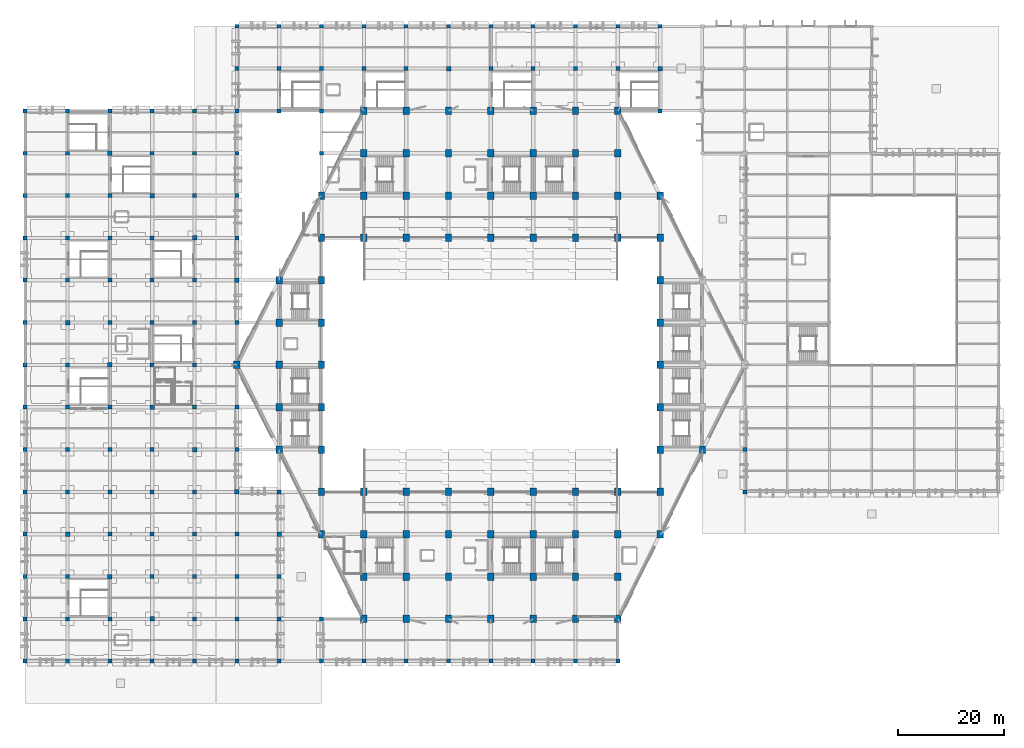
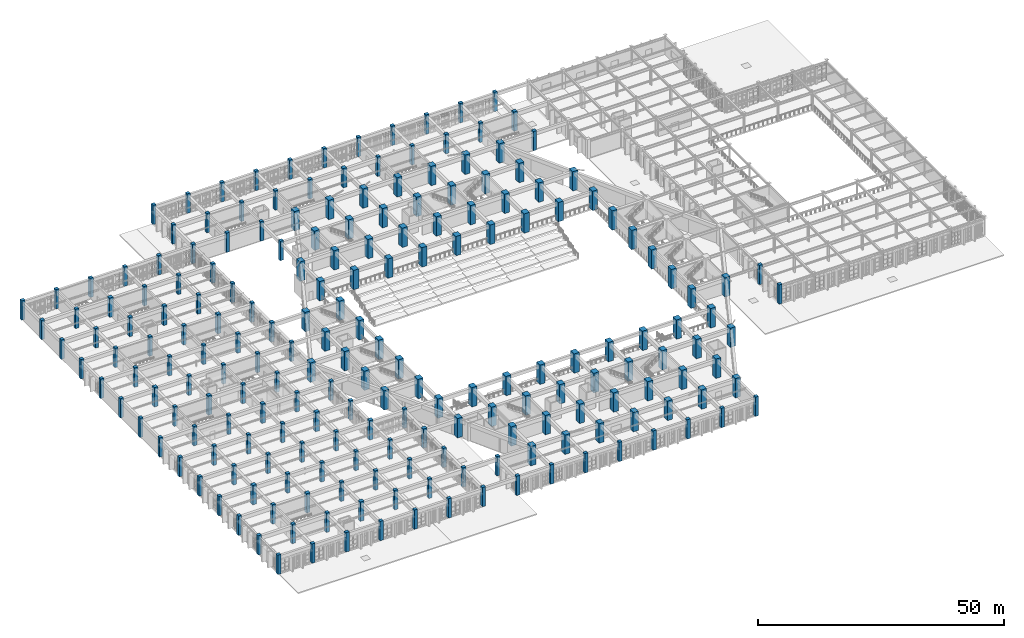
# One storey, part 1 of 155: 206 columns.
"""IFC4 building model written with IfcOpenShell, lengths in metres."""

from ifc_helpers import new_model, si_unit, direction, frame, origin, origin_2d, place, context, subcontext, project, spatial, rectangle, extrude, material, material_profile, profile_set, type_object, element, save


model = new_model("IFC4")

# Units and contexts
model_context = context("Model", 3, precision=1e-05, world=origin(), true_north=direction((0.0, 1.0)))
body_context = subcontext(model_context, "Body", "Model", "MODEL_VIEW")
ifc_project = project(units=[si_unit("LENGTHUNIT", "METRE"), si_unit("AREAUNIT", "SQUARE_METRE"), si_unit("VOLUMEUNIT", "CUBIC_METRE"), si_unit("PLANEANGLEUNIT", "RADIAN"), si_unit("MASSUNIT", "GRAM", prefix="KILO")], contexts=[model_context])

# Site, building, storey
site_placement = place(None, origin())
site = spatial("IfcSite", under=ifc_project, at=site_placement, CompositionType="ELEMENT")
building_placement = place(site_placement, origin())
building = spatial("IfcBuilding", under=site, at=building_placement, Name="Tazarka Park Arena", CompositionType="ELEMENT")
storey_placement = place(building_placement, frame((0.0, 0.0, 5.39990234375)))
storey = spatial("IfcBuildingStorey", under=building, at=storey_placement, Name="L01", CompositionType="ELEMENT", Elevation=5.39990234375)

# Columns
ifc_material_1 = material(Name="Concrete C40/50", Category="concrete")
ifc_material_profile_1 = material_profile(ifc_material_1, rectangle(XDim=0.75, YDim=0.75, at=origin_2d()), Name="Concrete C40/50")
ifc_profile_set_1 = profile_set([ifc_material_profile_1], Name="Concrete C40/50")
column_type_1 = type_object("IfcColumnType", Name="COL-C-02", PredefinedType="COLUMN", material=ifc_profile_set_1)
for number, where, z_axis, x_axis, name in (
    (1, (8.0, 16.0, 0.0), (0.0, 0.0, 1.0), (1.0, 0.0, 0.0), "CLM-L01-01-02"),
    (2, (8.0, 24.0, 0.0), (0.0, 0.0, 1.0), (1.0, 0.0, 0.0), "CLM-L01-01-03"),
    (3, (8.0, 40.0, 0.0), (0.0, 0.0, 1.0), (1.0, 0.0, 0.0), "CLM-L01-01-05"),
    (4, (8.0, 48.0, 0.0), (0.0, 0.0, 1.0), (1.0, 0.0, 0.0), "CLM-L01-01-06"),
    (5, (8.0, 56.0, 0.0), (0.0, 0.0, 1.0), (1.0, 0.0, 0.0), "CLM-L01-01-07"),
    (6, (8.0, 64.0, 0.0), (0.0, 0.0, 1.0), (1.0, 0.0, 0.0), "CLM-L01-01-08"),
    (7, (8.0, 80.0, 0.0), (0.0, 0.0, 1.0), (1.0, 0.0, 0.0), "CLM-L01-01-10"),
    (8, (8.0, 88.0, 0.0), (0.0, 0.0, 1.0), (1.0, 0.0, 0.0), "CLM-L01-01-11"),
    (9, (8.0, 96.0, 0.0), (0.0, 0.0, 1.0), (1.0, 0.0, 0.0), "CLM-L01-01-12"),
    (10, (8.0, 104.0, 0.0), (0.0, 0.0, 1.0), (1.0, 0.0, 0.0), "CLM-L01-01-13"),
    (11, (16.0, 16.0, 0.0), (0.0, 0.0, 1.0), (1.0, 0.0, 0.0), "CLM-L01-02-02"),
    (12, (16.0, 32.0, 0.0), (0.0, 0.0, 1.0), (1.0, 0.0, 0.0), "CLM-L01-02-04"),
    (13, (16.0, 40.0, 0.0), (0.0, 0.0, 1.0), (1.0, 0.0, 0.0), "CLM-L01-02-05"),
    (14, (16.0, 48.0, 0.0), (0.0, 0.0, 1.0), (1.0, 0.0, 0.0), "CLM-L01-02-06"),
    (15, (16.0, 56.0, 0.0), (0.0, 0.0, 1.0), (1.0, 0.0, 0.0), "CLM-L01-02-07"),
    (16, (16.0, 72.0, 0.0), (0.0, 0.0, 1.0), (1.0, 0.0, 0.0), "CLM-L01-02-09"),
    (17, (16.0, 80.0, 0.0), (0.0, 0.0, 1.0), (1.0, 0.0, 0.0), "CLM-L01-02-10"),
    (18, (16.0, 88.0, 0.0), (0.0, 0.0, 1.0), (1.0, 0.0, 0.0), "CLM-L01-02-11"),
    (19, (16.0, 96.0, 0.0), (0.0, 0.0, 1.0), (1.0, 0.0, 0.0), "CLM-L01-02-12"),
    (20, (24.0, 24.0, 0.0), (0.0, 0.0, 1.0), (1.0, 0.0, 0.0), "CLM-L01-03-03"),
    (21, (24.0, 32.0, 0.0), (0.0, 0.0, 1.0), (1.0, 0.0, 0.0), "CLM-L01-03-04"),
    (22, (24.0, 40.0, 0.0), (0.0, 0.0, 1.0), (1.0, 0.0, 0.0), "CLM-L01-03-05"),
    (23, (24.0, 48.0, 0.0), (0.0, 0.0, 1.0), (1.0, 0.0, 0.0), "CLM-L01-03-06"),
    (24, (24.0, 64.0, 0.0), (0.0, 0.0, 1.0), (1.0, 0.0, 0.0), "CLM-L01-03-08"),
    (25, (24.0, 72.0, 0.0), (0.0, 0.0, 1.0), (1.0, 0.0, 0.0), "CLM-L01-03-09"),
    (26, (24.0, 80.0, 0.0), (0.0, 0.0, 1.0), (1.0, 0.0, 0.0), "CLM-L01-03-10"),
    (27, (24.0, 88.0, 0.0), (0.0, 0.0, 1.0), (1.0, 0.0, 0.0), "CLM-L01-03-11"),
    (28, (24.0, 104.0, 0.0), (0.0, 0.0, 1.0), (1.0, 0.0, 0.0), "CLM-L01-03-13"),
    (29, (32.0, 16.0, 0.0), (0.0, 0.0, 1.0), (1.0, 0.0, 0.0), "CLM-L01-04-02"),
    (30, (32.0, 24.0, 0.0), (0.0, 0.0, 1.0), (1.0, 0.0, 0.0), "CLM-L01-04-03"),
    (31, (32.0, 32.0, 0.0), (0.0, 0.0, 1.0), (1.0, 0.0, 0.0), "CLM-L01-04-04"),
    (32, (32.0, 40.0, 0.0), (0.0, 0.0, 1.0), (1.0, 0.0, 0.0), "CLM-L01-04-05"),
    (33, (32.0, 56.0, 0.0), (0.0, 0.0, 1.0), (1.0, 0.0, 0.0), "CLM-L01-04-07"),
    (34, (32.0, 64.0, 0.0), (0.0, 0.0, 1.0), (1.0, 0.0, 0.0), "CLM-L01-04-08"),
    (35, (32.0, 72.0, 0.0), (0.0, 0.0, 1.0), (1.0, 0.0, 0.0), "CLM-L01-04-09"),
    (36, (32.0, 80.0, 0.0), (0.0, 0.0, 1.0), (1.0, 0.0, 0.0), "CLM-L01-04-10"),
    (37, (32.0, 96.0, 0.0), (0.0, 0.0, 1.0), (1.0, 0.0, 0.0), "CLM-L01-04-12"),
    (38, (32.0, 104.0, 0.0), (0.0, 0.0, 1.0), (1.0, 0.0, 0.0), "CLM-L01-04-13"),
    (39, (40.0, 16.0, 0.0), (0.0, 0.0, 1.0), (1.0, 0.0, 0.0), "CLM-L01-05-02"),
    (40, (40.0, 24.0, 0.0), (0.0, 0.0, 1.0), (1.0, 0.0, 0.0), "CLM-L01-05-03"),
    (41, (40.0, 32.0, 0.0), (0.0, 0.0, 1.0), (1.0, 0.0, 0.0), "CLM-L01-05-04"),
    (42, (40.0, 48.0, 0.0), (0.0, 0.0, 1.0), (1.0, 0.0, 0.0), "CLM-L01-05-06"),
    (43, (40.0, 56.0, 0.0), (0.0, 0.0, 1.0), (1.0, 0.0, 0.0), "CLM-L01-05-07"),
    (44, (40.0, 72.0, 0.0), (0.0, 0.0, 1.0), (1.0, 0.0, 0.0), "CLM-L01-05-09"),
    (45, (40.0, 112.0, 0.0), (0.0, 0.0, 1.0), (1.0, 0.0, 0.0), "CLM-L01-05-14"),
    (46, (48.0, 16.0, 0.0), (0.0, 0.0, 1.0), (1.0, 0.0, 0.0), "CLM-L01-06-02"),
    (47, (48.0, 40.0, 0.0), (0.0, 0.0, 1.0), (1.0, 0.0, 0.0), "CLM-L01-06-05"),
    (48, (48.0, 120.0, 0.0), (0.0, 0.0, 1.0), (1.0, 0.0, 0.0), "CLM-L01-06-15"),
    (49, (56.0, 112.0, 0.0), (0.0, 0.0, 1.0), (1.0, 0.0, 0.0), "CLM-L01-07-14"),
    (50, (56.0, 120.0, 0.0), (0.0, 0.0, 1.0), (1.0, 0.0, 0.0), "CLM-L01-07-15"),
    (51, (64.0, 120.0, 0.0), (0.0, 0.0, 1.0), (1.0, 0.0, 0.0), "CLM-L01-08-15"),
    (52, (72.0, 120.0, 0.0), (0.0, 0.0, 1.0), (1.0, 0.0, 0.0), "CLM-L01-09-15"),
    (53, (88.0, 120.0, 0.0), (0.0, 0.0, 1.0), (1.0, 0.0, 0.0), "CLM-L01-11-15"),
    (54, (96.0, 120.0, 0.0), (0.0, 0.0, 1.0), (1.0, 0.0, 0.0), "CLM-L01-12-15"),
    (55, (104.0, 120.0, 0.0), (0.0, 0.0, 1.0), (1.0, 0.0, 0.0), "CLM-L01-13-15"),
    (56, (112.0, 120.0, 0.0), (0.0, 0.0, 1.0), (1.0, 0.0, 0.0), "CLM-L01-14-15"),
    (57, (136.0, 48.0, 0.0), (0.0, 0.0, 1.0), (1.0, 0.0, 0.0), "CLM-L01-17-06"),
):
    element("IfcColumn", number, at=place(storey_placement, frame(where, z_axis=z_axis, x_axis=x_axis)), inside=storey, type_object=column_type_1, Name=name, PredefinedType="COLUMN", context=body_context, shape_type="SweptSolid", body=[
        extrude(rectangle(XDim=0.75, YDim=0.75, at=origin_2d()), origin(), (0.0, 0.0, 1.0), 4.800048828125),
    ])
ifc_material_2 = material(Name="Concrete C50/60", Category="concrete")
ifc_material_profile_2 = material_profile(ifc_material_2, rectangle(XDim=1.199951171875, YDim=1.39990234375, at=origin_2d()), Name="Concrete C50/60")
ifc_profile_set_2 = profile_set([ifc_material_profile_2], Name="Concrete C50/60")
column_type_2 = type_object("IfcColumnType", Name="COL-C-05", PredefinedType="COLUMN", material=ifc_profile_set_2)
for number, where, z_axis, x_axis, name in (
    (58, (40.0, 64.0, 0.0), (0.0, 0.0, 1.0), (1.0, 0.0, 0.0), "CLM-L01-05-08"),
    (59, (48.0, 48.0, 0.0), (0.0, 0.0, 1.0), (1.0, 0.0, 0.0), "CLM-L01-06-06"),
    (60, (48.0, 56.0, 0.0), (0.0, 0.0, 1.0), (1.0, 0.0, 0.0), "CLM-L01-06-07"),
    (61, (48.0, 64.0, 0.0), (0.0, 0.0, 1.0), (1.0, 0.0, 0.0), "CLM-L01-06-08"),
    (62, (48.0, 72.0, 0.0), (0.0, 0.0, 1.0), (1.0, 0.0, 0.0), "CLM-L01-06-09"),
    (63, (56.0, 40.0, 0.0), (0.0, 0.0, 1.0), (1.0, 0.0, 0.0), "CLM-L01-07-05"),
    (64, (64.0, 16.0, 0.0), (0.0, 0.0, 1.0), (1.0, 0.0, 0.0), "CLM-L01-08-02"),
    (65, (64.0, 32.0, 0.0), (0.0, 0.0, 1.0), (1.0, 0.0, 0.0), "CLM-L01-08-04"),
    (66, (64.0, 96.0, 0.0), (0.0, 0.0, 1.0), (1.0, 0.0, 0.0), "CLM-L01-08-12"),
    (67, (64.0, 104.0, 0.0), (0.0, 0.0, 1.0), (1.0, 0.0, 0.0), "CLM-L01-08-13"),
    (68, (64.0, 112.0, 0.0), (0.0, 0.0, 1.0), (1.0, 0.0, 0.0), "CLM-L01-08-14"),
    (69, (72.0, 16.0, 0.0), (0.0, 0.0, 1.0), (1.0, 0.0, 0.0), "CLM-L01-09-02"),
    (70, (72.0, 24.0, 0.0), (0.0, 0.0, 1.0), (1.0, 0.0, 0.0), "CLM-L01-09-03"),
    (71, (72.0, 32.0, 0.0), (0.0, 0.0, 1.0), (1.0, 0.0, 0.0), "CLM-L01-09-04"),
    (72, (72.0, 96.0, 0.0), (0.0, 0.0, 1.0), (1.0, 0.0, 0.0), "CLM-L01-09-12"),
    (73, (72.0, 104.0, 0.0), (0.0, 0.0, 1.0), (1.0, 0.0, 0.0), "CLM-L01-09-13"),
    (74, (72.0, 112.0, 0.0), (0.0, 0.0, 1.0), (1.0, 0.0, 0.0), "CLM-L01-09-14"),
    (75, (80.0, 16.0, 0.0), (0.0, 0.0, 1.0), (1.0, 0.0, 0.0), "CLM-L01-10-02"),
    (76, (80.0, 24.0, 0.0), (0.0, 0.0, 1.0), (1.0, 0.0, 0.0), "CLM-L01-10-03"),
    (77, (80.0, 32.0, 0.0), (0.0, 0.0, 1.0), (1.0, 0.0, 0.0), "CLM-L01-10-04"),
    (78, (80.0, 96.0, 0.0), (0.0, 0.0, 1.0), (1.0, 0.0, 0.0), "CLM-L01-10-12"),
    (79, (80.0, 104.0, 0.0), (0.0, 0.0, 1.0), (1.0, 0.0, 0.0), "CLM-L01-10-13"),
    (80, (80.0, 112.0, 0.0), (0.0, 0.0, 1.0), (1.0, 0.0, 0.0), "CLM-L01-10-14"),
    (81, (88.0, 16.0, 0.0), (0.0, 0.0, 1.0), (1.0, 0.0, 0.0), "CLM-L01-11-02"),
    (82, (88.0, 24.0, 0.0), (0.0, 0.0, 1.0), (1.0, 0.0, 0.0), "CLM-L01-11-03"),
    (83, (88.0, 32.0, 0.0), (0.0, 0.0, 1.0), (1.0, 0.0, 0.0), "CLM-L01-11-04"),
    (84, (88.0, 96.0, 0.0), (0.0, 0.0, 1.0), (1.0, 0.0, 0.0), "CLM-L01-11-12"),
    (85, (88.0, 104.0, 0.0), (0.0, 0.0, 1.0), (1.0, 0.0, 0.0), "CLM-L01-11-13"),
    (86, (88.0, 112.0, 0.0), (0.0, 0.0, 1.0), (1.0, 0.0, 0.0), "CLM-L01-11-14"),
    (87, (96.0, 16.0, 0.0), (0.0, 0.0, 1.0), (1.0, 0.0, 0.0), "CLM-L01-12-02"),
    (88, (96.0, 24.0, 0.0), (0.0, 0.0, 1.0), (1.0, 0.0, 0.0), "CLM-L01-12-03"),
    (89, (96.0, 32.0, 0.0), (0.0, 0.0, 1.0), (1.0, 0.0, 0.0), "CLM-L01-12-04"),
    (90, (96.0, 96.0, 0.0), (0.0, 0.0, 1.0), (1.0, 0.0, 0.0), "CLM-L01-12-12"),
    (91, (96.0, 104.0, 0.0), (0.0, 0.0, 1.0), (1.0, 0.0, 0.0), "CLM-L01-12-13"),
    (92, (96.0, 112.0, 0.0), (0.0, 0.0, 1.0), (1.0, 0.0, 0.0), "CLM-L01-12-14"),
    (93, (104.0, 16.0, 0.0), (0.0, 0.0, 1.0), (1.0, 0.0, 0.0), "CLM-L01-13-02"),
    (94, (104.0, 24.0, 0.0), (0.0, 0.0, 1.0), (1.0, 0.0, 0.0), "CLM-L01-13-03"),
    (95, (104.0, 32.0, 0.0), (0.0, 0.0, 1.0), (1.0, 0.0, 0.0), "CLM-L01-13-04"),
    (96, (104.0, 96.0, 0.0), (0.0, 0.0, 1.0), (1.0, 0.0, 0.0), "CLM-L01-13-12"),
    (97, (104.0, 104.0, 0.0), (0.0, 0.0, 1.0), (1.0, 0.0, 0.0), "CLM-L01-13-13"),
    (98, (104.0, 112.0, 0.0), (0.0, 0.0, 1.0), (1.0, 0.0, 0.0), "CLM-L01-13-14"),
    (99, (112.0, 32.0, 0.0), (0.0, 0.0, 1.0), (1.0, 0.0, 0.0), "CLM-L01-14-04"),
    (100, (112.0, 96.0, 0.0), (0.0, 0.0, 1.0), (1.0, 0.0, 0.0), "CLM-L01-14-12"),
    (101, (112.0, 112.0, 0.0), (0.0, 0.0, 1.0), (1.0, 0.0, 0.0), "CLM-L01-14-14"),
):
    element("IfcColumn", number, at=place(storey_placement, frame(where, z_axis=z_axis, x_axis=x_axis)), inside=storey, type_object=column_type_2, Name=name, PredefinedType="COLUMN", context=body_context, shape_type="SweptSolid", body=[
        extrude(rectangle(XDim=1.199951171875, YDim=1.39990234375, at=origin_2d()), origin(), (0.0, 0.0, 1.0), 4.800048828125),
    ])
ifc_material_3 = material(Name="Concrete C40/50", Category="concrete")
ifc_material_profile_3 = material_profile(ifc_material_3, rectangle(XDim=0.75, YDim=0.75, at=origin_2d()), Name="Concrete C40/50")
ifc_profile_set_3 = profile_set([ifc_material_profile_3], Name="Concrete C40/50")
column_type_3 = type_object("IfcColumnType", Name="COL-C-06", PredefinedType="COLUMN", material=ifc_profile_set_3)
for number, where, z_axis, x_axis, name in (
    (102, (0.0, 8.0, 0.0), (0.0, 0.0, 1.0), (1.0, 0.0, 0.0), "CLM-L01-00-01"),
    (103, (0.0, 16.0, 0.0), (0.0, 0.0, 1.0), (1.0, 0.0, 0.0), "CLM-L01-00-02"),
    (104, (0.0, 24.0, 0.0), (0.0, 0.0, 1.0), (1.0, 0.0, 0.0), "CLM-L01-00-03"),
    (105, (0.0, 32.0, 0.0), (0.0, 0.0, 1.0), (1.0, 0.0, 0.0), "CLM-L01-00-04"),
    (106, (0.0, 40.0, 0.0), (0.0, 0.0, 1.0), (1.0, 0.0, 0.0), "CLM-L01-00-05"),
    (107, (0.0, 48.0, 0.0), (0.0, 0.0, 1.0), (1.0, 0.0, 0.0), "CLM-L01-00-06"),
    (108, (0.0, 56.0, 0.0), (0.0, 0.0, 1.0), (1.0, 0.0, 0.0), "CLM-L01-00-07"),
    (109, (0.0, 64.0, 0.0), (0.0, 0.0, 1.0), (1.0, 0.0, 0.0), "CLM-L01-00-08"),
    (110, (0.0, 72.0, 0.0), (0.0, 0.0, 1.0), (1.0, 0.0, 0.0), "CLM-L01-00-09"),
    (111, (0.0, 80.0, 0.0), (0.0, 0.0, 1.0), (1.0, 0.0, 0.0), "CLM-L01-00-10"),
    (112, (0.0, 88.0, 0.0), (0.0, 0.0, 1.0), (1.0, 0.0, 0.0), "CLM-L01-00-11"),
    (113, (0.0, 96.0, 0.0), (0.0, 0.0, 1.0), (1.0, 0.0, 0.0), "CLM-L01-00-12"),
    (114, (0.0, 104.0, 0.0), (0.0, 0.0, 1.0), (1.0, 0.0, 0.0), "CLM-L01-00-13"),
    (115, (0.0, 112.0, 0.0), (0.0, 0.0, 1.0), (1.0, 0.0, 0.0), "CLM-L01-00-14"),
    (116, (8.0, 8.0, 0.0), (0.0, 0.0, 1.0), (1.0, 0.0, 0.0), "CLM-L01-01-01"),
    (117, (8.0, 112.0, 0.0), (0.0, 0.0, 1.0), (1.0, 0.0, 0.0), "CLM-L01-01-14"),
    (118, (16.0, 8.0, 0.0), (0.0, 0.0, 1.0), (1.0, 0.0, 0.0), "CLM-L01-02-01"),
    (119, (16.0, 112.0, 0.0), (0.0, 0.0, 1.0), (1.0, 0.0, 0.0), "CLM-L01-02-14"),
    (120, (24.0, 8.0, 0.0), (0.0, 0.0, 1.0), (1.0, 0.0, 0.0), "CLM-L01-03-01"),
    (121, (24.0, 112.0, 0.0), (0.0, 0.0, 1.0), (1.0, 0.0, 0.0), "CLM-L01-03-14"),
    (122, (32.0, 8.0, 0.0), (0.0, 0.0, 1.0), (1.0, 0.0, 0.0), "CLM-L01-04-01"),
    (123, (32.0, 112.0, 0.0), (0.0, 0.0, 1.0), (1.0, 0.0, 0.0), "CLM-L01-04-14"),
    (124, (40.0, 8.0, 0.0), (0.0, 0.0, 1.0), (1.0, 0.0, 0.0), "CLM-L01-05-01"),
    (125, (40.0, 88.0, 0.0), (0.0, 0.0, 1.0), (1.0, 0.0, 0.0), "CLM-L01-05-11"),
    (126, (40.0, 96.0, 0.0), (0.0, 0.0, 1.0), (1.0, 0.0, 0.0), "CLM-L01-05-12"),
    (127, (40.0, 104.0, 0.0), (0.0, 0.0, 1.0), (1.0, 0.0, 0.0), "CLM-L01-05-13"),
    (128, (40.0, 120.0, 0.0), (0.0, 0.0, 1.0), (1.0, 0.0, 0.0), "CLM-L01-05-15"),
    (129, (40.0, 128.0, 0.0), (0.0, 0.0, 1.0), (1.0, 0.0, 0.0), "CLM-L01-05-16"),
    (130, (48.0, 8.0, 0.0), (0.0, 0.0, 1.0), (1.0, 0.0, 0.0), "CLM-L01-06-01"),
    (131, (48.0, 24.0, 0.0), (0.0, 0.0, 1.0), (1.0, 0.0, 0.0), "CLM-L01-06-03"),
    (132, (48.0, 112.0, 0.0), (0.0, 0.0, 1.0), (1.0, 0.0, 0.0), "CLM-L01-06-14"),
    (133, (48.0, 128.0, 0.0), (0.0, 0.0, 1.0), (1.0, 0.0, 0.0), "CLM-L01-06-16"),
    (134, (56.0, 8.0, 0.0), (0.0, 0.0, 1.0), (1.0, 0.0, 0.0), "CLM-L01-07-01"),
    (135, (56.0, 16.0, 0.0), (0.0, 0.0, 1.0), (1.0, 0.0, 0.0), "CLM-L01-07-02"),
    (136, (56.0, 104.0, 0.0), (0.0, 0.0, 1.0), (1.0, 0.0, 0.0), "CLM-L01-07-13"),
    (137, (56.0, 128.0, 0.0), (0.0, 0.0, 1.0), (1.0, 0.0, 0.0), "CLM-L01-07-16"),
    (138, (64.0, 8.0, 0.0), (0.0, 0.0, 1.0), (1.0, 0.0, 0.0), "CLM-L01-08-01"),
    (139, (64.0, 128.0, 0.0), (0.0, 0.0, 1.0), (1.0, 0.0, 0.0), "CLM-L01-08-16"),
    (140, (72.0, 8.0, 0.0), (0.0, 0.0, 1.0), (1.0, 0.0, 0.0), "CLM-L01-09-01"),
    (141, (72.0, 128.0, 0.0), (0.0, 0.0, 1.0), (1.0, 0.0, 0.0), "CLM-L01-09-16"),
    (142, (80.0, 8.0, 0.0), (0.0, 0.0, 1.0), (1.0, 0.0, 0.0), "CLM-L01-10-01"),
    (143, (80.0, 128.0, 0.0), (0.0, 0.0, 1.0), (1.0, 0.0, 0.0), "CLM-L01-10-16"),
    (144, (88.0, 8.0, 0.0), (0.0, 0.0, 1.0), (1.0, 0.0, 0.0), "CLM-L01-11-01"),
    (145, (88.0, 128.0, 0.0), (0.0, 0.0, 1.0), (1.0, 0.0, 0.0), "CLM-L01-11-16"),
    (146, (96.0, 8.0, 0.0), (0.0, 0.0, 1.0), (1.0, 0.0, 0.0), "CLM-L01-12-01"),
    (147, (96.0, 128.0, 0.0), (0.0, 0.0, 1.0), (1.0, 0.0, 0.0), "CLM-L01-12-16"),
    (148, (104.0, 8.0, 0.0), (0.0, 0.0, 1.0), (1.0, 0.0, 0.0), "CLM-L01-13-01"),
    (149, (104.0, 128.0, 0.0), (0.0, 0.0, 1.0), (1.0, 0.0, 0.0), "CLM-L01-13-16"),
    (150, (112.0, 8.0, 0.0), (0.0, 0.0, 1.0), (1.0, 0.0, 0.0), "CLM-L01-14-01"),
    (151, (112.0, 128.0, 0.0), (0.0, 0.0, 1.0), (1.0, 0.0, 0.0), "CLM-L01-14-16"),
    (152, (120.0, 112.0, 0.0), (0.0, 0.0, 1.0), (1.0, 0.0, 0.0), "CLM-L01-15-14"),
    (153, (120.0, 128.0, 0.0), (0.0, 0.0, 1.0), (1.0, 0.0, 0.0), "CLM-L01-15-16"),
    (154, (136.0, 40.0, 0.0), (0.0, 0.0, 1.0), (1.0, 0.0, 0.0), "CLM-L01-17-05"),
):
    element("IfcColumn", number, at=place(storey_placement, frame(where, z_axis=z_axis, x_axis=x_axis)), inside=storey, type_object=column_type_3, Name=name, PredefinedType="COLUMN", context=body_context, shape_type="SweptSolid", body=[
        extrude(rectangle(XDim=0.75, YDim=0.75, at=origin_2d()), origin(), (0.0, 0.0, 1.0), 4.800048828125),
    ])
ifc_material_4 = material(Name="Concrete C50/60", Category="concrete")
ifc_material_profile_4 = material_profile(ifc_material_4, rectangle(XDim=1.199951171875, YDim=1.39990234375, at=origin_2d()), Name="Concrete C50/60")
ifc_profile_set_4 = profile_set([ifc_material_profile_4], Name="Concrete C50/60")
column_type_4 = type_object("IfcColumnType", Name="COL-C-08", PredefinedType="COLUMN", material=ifc_profile_set_4)
for number, where, z_axis, x_axis, name in (
    (155, (48.0, 80.0, 0.0), (0.0, 0.0, 1.0), (1.0, 0.0, 0.0), "CLM-L01-06-10"),
    (156, (56.0, 32.0, 0.0), (0.0, 0.0, 1.0), (1.0, 0.0, 0.0), "CLM-L01-07-04"),
    (157, (56.0, 48.0, 0.0), (0.0, 0.0, 1.0), (1.0, 0.0, 0.0), "CLM-L01-07-06"),
    (158, (56.0, 56.0, 0.0), (0.0, 0.0, 1.0), (1.0, 0.0, 0.0), "CLM-L01-07-07"),
    (159, (56.0, 64.0, 0.0), (0.0, 0.0, 1.0), (1.0, 0.0, 0.0), "CLM-L01-07-08"),
    (160, (56.0, 72.0, 0.0), (0.0, 0.0, 1.0), (1.0, 0.0, 0.0), "CLM-L01-07-09"),
    (161, (56.0, 80.0, 0.0), (0.0, 0.0, 1.0), (1.0, 0.0, 0.0), "CLM-L01-07-10"),
    (162, (56.0, 88.0, 0.0), (0.0, 0.0, 1.0), (1.0, 0.0, 0.0), "CLM-L01-07-11"),
    (163, (56.0, 96.0, 0.0), (0.0, 0.0, 1.0), (1.0, 0.0, 0.0), "CLM-L01-07-12"),
    (164, (64.0, 24.0, 0.0), (0.0, 0.0, 1.0), (1.0, 0.0, 0.0), "CLM-L01-08-03"),
    (165, (64.0, 40.0, 0.0), (0.0, 0.0, 1.0), (1.0, 0.0, 0.0), "CLM-L01-08-05"),
    (166, (64.0, 88.0, 0.0), (0.0, 0.0, 1.0), (1.0, 0.0, 0.0), "CLM-L01-08-11"),
    (167, (72.0, 40.0, 0.0), (0.0, 0.0, 1.0), (1.0, 0.0, 0.0), "CLM-L01-09-05"),
    (168, (72.0, 88.0, 0.0), (0.0, 0.0, 1.0), (1.0, 0.0, 0.0), "CLM-L01-09-11"),
    (169, (80.0, 40.0, 0.0), (0.0, 0.0, 1.0), (1.0, 0.0, 0.0), "CLM-L01-10-05"),
    (170, (80.0, 88.0, 0.0), (0.0, 0.0, 1.0), (1.0, 0.0, 0.0), "CLM-L01-10-11"),
    (171, (88.0, 40.0, 0.0), (0.0, 0.0, 1.0), (1.0, 0.0, 0.0), "CLM-L01-11-05"),
    (172, (88.0, 88.0, 0.0), (0.0, 0.0, 1.0), (1.0, 0.0, 0.0), "CLM-L01-11-11"),
    (173, (96.0, 40.0, 0.0), (0.0, 0.0, 1.0), (1.0, 0.0, 0.0), "CLM-L01-12-05"),
    (174, (96.0, 88.0, 0.0), (0.0, 0.0, 1.0), (1.0, 0.0, 0.0), "CLM-L01-12-11"),
    (175, (104.0, 40.0, 0.0), (0.0, 0.0, 1.0), (1.0, 0.0, 0.0), "CLM-L01-13-05"),
    (176, (104.0, 88.0, 0.0), (0.0, 0.0, 1.0), (1.0, 0.0, 0.0), "CLM-L01-13-11"),
    (177, (112.0, 16.0, 0.0), (0.0, 0.0, 1.0), (1.0, 0.0, 0.0), "CLM-L01-14-02"),
    (178, (112.0, 24.0, 0.0), (0.0, 0.0, 1.0), (1.0, 0.0, 0.0), "CLM-L01-14-03"),
    (179, (112.0, 40.0, 0.0), (0.0, 0.0, 1.0), (1.0, 0.0, 0.0), "CLM-L01-14-05"),
    (180, (112.0, 88.0, 0.0), (0.0, 0.0, 1.0), (1.0, 0.0, 0.0), "CLM-L01-14-11"),
    (181, (112.0, 104.0, 0.0), (0.0, 0.0, 1.0), (1.0, 0.0, 0.0), "CLM-L01-14-13"),
    (182, (120.0, 32.0, 0.0), (0.0, 0.0, 1.0), (1.0, 0.0, 0.0), "CLM-L01-15-04"),
    (183, (120.0, 40.0, 0.0), (0.0, 0.0, 1.0), (1.0, 0.0, 0.0), "CLM-L01-15-05"),
    (184, (120.0, 48.0, 0.0), (0.0, 0.0, 1.0), (1.0, 0.0, 0.0), "CLM-L01-15-06"),
    (185, (120.0, 56.0, 0.0), (0.0, 0.0, 1.0), (1.0, 0.0, 0.0), "CLM-L01-15-07"),
    (186, (120.0, 64.0, 0.0), (0.0, 0.0, 1.0), (1.0, 0.0, 0.0), "CLM-L01-15-08"),
    (187, (120.0, 72.0, 0.0), (0.0, 0.0, 1.0), (1.0, 0.0, 0.0), "CLM-L01-15-09"),
    (188, (120.0, 80.0, 0.0), (0.0, 0.0, 1.0), (1.0, 0.0, 0.0), "CLM-L01-15-10"),
    (189, (120.0, 88.0, 0.0), (0.0, 0.0, 1.0), (1.0, 0.0, 0.0), "CLM-L01-15-11"),
    (190, (120.0, 96.0, 0.0), (0.0, 0.0, 1.0), (1.0, 0.0, 0.0), "CLM-L01-15-12"),
    (191, (128.0, 48.0, 0.0), (0.0, 0.0, 1.0), (1.0, 0.0, 0.0), "CLM-L01-16-06"),
):
    element("IfcColumn", number, at=place(storey_placement, frame(where, z_axis=z_axis, x_axis=x_axis)), inside=storey, type_object=column_type_4, Name=name, PredefinedType="COLUMN", context=body_context, shape_type="SweptSolid", body=[
        extrude(rectangle(XDim=1.199951171875, YDim=1.39990234375, at=origin_2d()), origin(), (0.0, 0.0, 1.0), 4.800048828125),
    ])
ifc_material_5 = material(Name="Concrete C40/50", Category="concrete")
ifc_material_profile_5 = material_profile(ifc_material_5, rectangle(XDim=0.85009765625, YDim=0.85009765625, at=origin_2d()), Name="Concrete C40/50")
ifc_profile_set_5 = profile_set([ifc_material_profile_5], Name="Concrete C40/50")
column_type_5 = type_object("IfcColumnType", Name="COL-C-10", PredefinedType="COLUMN", material=ifc_profile_set_5)
for number, where, z_axis, x_axis, name in (
    (192, (8.0, 32.0, 0.0), (0.0, 0.0, 1.0), (1.0, 0.0, 0.0), "CLM-L01-01-04"),
    (193, (8.0, 72.0, 0.0), (0.0, 0.0, 1.0), (1.0, 0.0, 0.0), "CLM-L01-01-09"),
    (194, (16.0, 24.0, 0.0), (0.0, 0.0, 1.0), (1.0, 0.0, 0.0), "CLM-L01-02-03"),
    (195, (16.0, 64.0, 0.0), (0.0, 0.0, 1.0), (1.0, 0.0, 0.0), "CLM-L01-02-08"),
    (196, (16.0, 104.0, 0.0), (0.0, 0.0, 1.0), (1.0, 0.0, 0.0), "CLM-L01-02-13"),
    (197, (24.0, 16.0, 0.0), (0.0, 0.0, 1.0), (1.0, 0.0, 0.0), "CLM-L01-03-02"),
    (198, (24.0, 56.0, 0.0), (0.0, 0.0, 1.0), (1.0, 0.0, 0.0), "CLM-L01-03-07"),
    (199, (24.0, 96.0, 0.0), (0.0, 0.0, 1.0), (1.0, 0.0, 0.0), "CLM-L01-03-12"),
    (200, (32.0, 48.0, 0.0), (0.0, 0.0, 1.0), (1.0, 0.0, 0.0), "CLM-L01-04-06"),
    (201, (32.0, 88.0, 0.0), (0.0, 0.0, 1.0), (1.0, 0.0, 0.0), "CLM-L01-04-11"),
    (202, (40.0, 40.0, 0.0), (0.0, 0.0, 1.0), (1.0, 0.0, 0.0), "CLM-L01-05-05"),
    (203, (40.0, 80.0, 0.0), (0.0, 0.0, 1.0), (1.0, 0.0, 0.0), "CLM-L01-05-10"),
    (204, (48.0, 32.0, 0.0), (0.0, 0.0, 1.0), (1.0, 0.0, 0.0), "CLM-L01-06-04"),
    (205, (80.0, 120.0, 0.0), (0.0, 0.0, 1.0), (1.0, 0.0, 0.0), "CLM-L01-10-15"),
    (206, (120.0, 120.0, 0.0), (0.0, 0.0, 1.0), (1.0, 0.0, 0.0), "CLM-L01-15-15"),
):
    element("IfcColumn", number, at=place(storey_placement, frame(where, z_axis=z_axis, x_axis=x_axis)), inside=storey, type_object=column_type_5, Name=name, PredefinedType="COLUMN", context=body_context, shape_type="SweptSolid", body=[
        extrude(rectangle(XDim=0.85009765625, YDim=0.85009765625, at=origin_2d()), origin(), (0.0, 0.0, 1.0), 4.800048828125),
    ])

save(model, "model.ifc")
